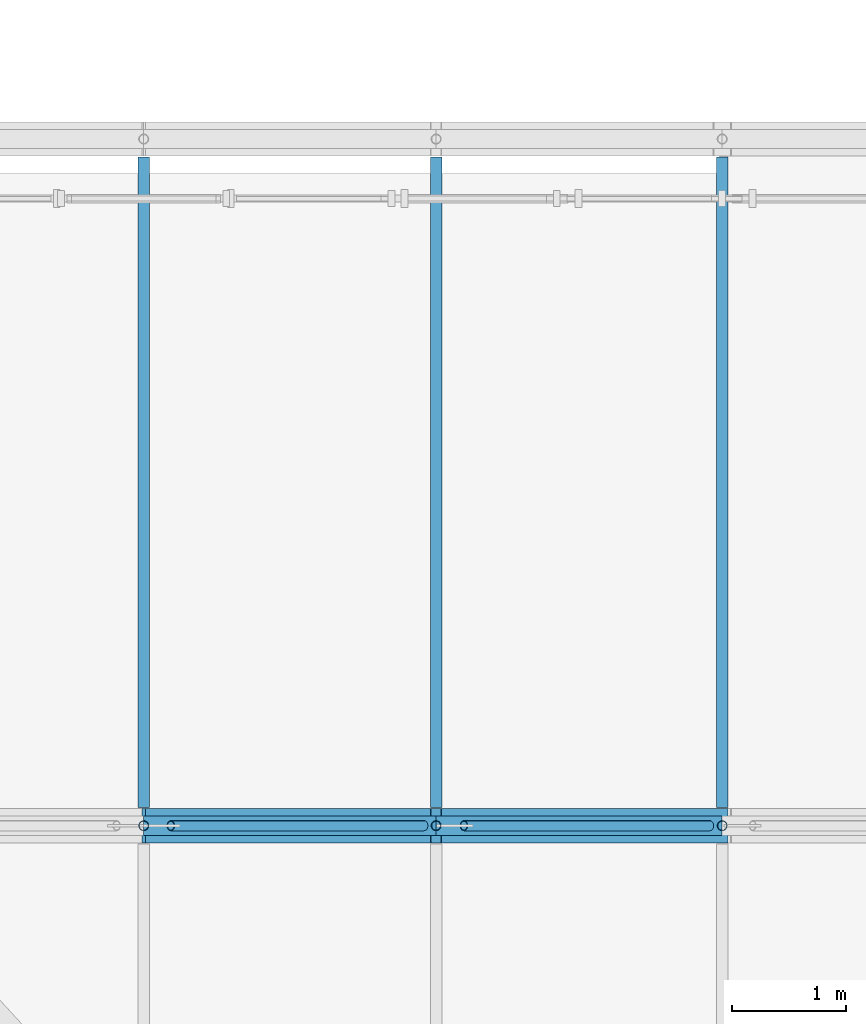
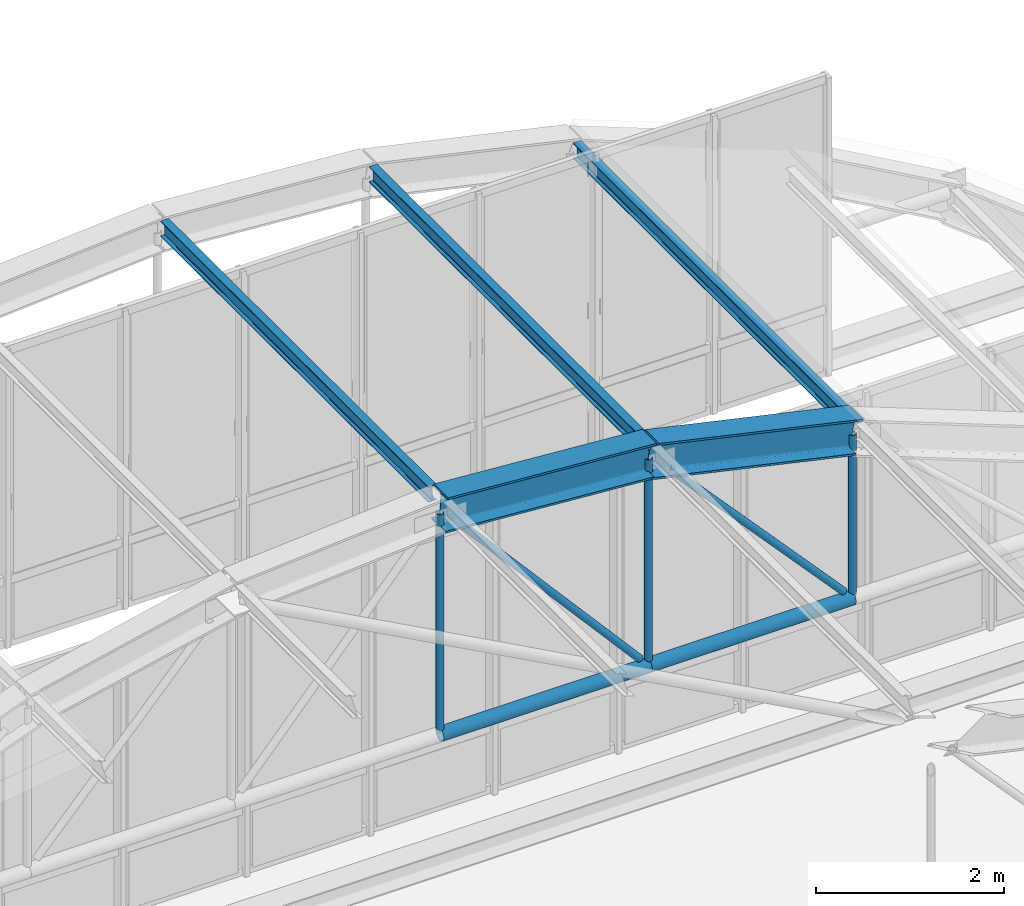
# One storey, part 78 of 148: 7 members, 5 beams.
"""IFC4 building model written with IfcOpenShell, lengths in metres."""

from ifc_helpers import new_model, si_unit, direction, frame, origin, origin_2d, place, context, subcontext, project, spatial, hollow_circle, i_section, extrude, material, material_profile, profile_set, type_object, element, save


model = new_model("IFC4")

# Units and contexts
model_context = context("Model", 3, precision=1e-05, world=origin(), true_north=direction((0.0, 1.0)))
body_context = subcontext(model_context, "Body", "Model", "MODEL_VIEW")
ifc_project = project(units=[si_unit("LENGTHUNIT", "METRE"), si_unit("AREAUNIT", "SQUARE_METRE"), si_unit("VOLUMEUNIT", "CUBIC_METRE"), si_unit("PLANEANGLEUNIT", "RADIAN"), si_unit("MASSUNIT", "GRAM", prefix="KILO"), si_unit("THERMODYNAMICTEMPERATUREUNIT", "KELVIN"), si_unit("POWERUNIT", "WATT")], contexts=[model_context])

# Site, building, storey
site_placement = place(None, origin())
site = spatial("IfcSite", under=ifc_project, at=site_placement, CompositionType="ELEMENT")
building_placement = place(site_placement, origin())
building = spatial("IfcBuilding", under=site, at=building_placement, Name="Solvatero Civic Police Headquarters", CompositionType="ELEMENT")
storey_placement = place(building_placement, frame((0.0, 0.0, 5.10009765625)))
storey = spatial("IfcBuildingStorey", under=building, at=storey_placement, Name="L01", CompositionType="ELEMENT", Elevation=5.10009765625)

# Beams
ifc_material = material(Name="Steel S355", Category="steel")
ifc_material_profile_1 = material_profile(ifc_material, i_section(OverallWidth=0.300048828125, OverallDepth=0.449951171875, WebThickness=0.013916015625, FlangeThickness=0.02587890625, FilletRadius=0.027099609375, at=origin_2d()), Name="HEB 450")
ifc_profile_set_1 = profile_set([ifc_material_profile_1], Name="Steel S355")
beam_type_1 = type_object("IfcBeamType", Name="BM-ST-HEB450", PredefinedType="BEAM", material=ifc_profile_set_1)
beam_1_placement = place(storey_placement, frame((110.5, 40.800048828125, 8.31396484375), z_axis=(0.997304549883, 0.0, -0.073373256584), x_axis=(0.0, 1.0, 0.0)))
element("IfcBeam", 1, at=beam_1_placement, inside=storey, type_object=beam_type_1, Name="VLT1 Tied-Arch Vault Top Chord F7.6", PredefinedType="BEAM", context=body_context, shape_type="SweptSolid", body=[
    extrude(i_section(OverallWidth=0.300048828125, OverallDepth=0.449951171875, WebThickness=0.013916015625, FlangeThickness=0.02587890625, FilletRadius=0.027099609375, at=origin_2d()), origin(), (0.0, 0.0, 1.0), 2.56201171875),
])
beam_2_placement = place(storey_placement, frame((113.05517578125, 40.800048828125, 8.1171875), z_axis=(0.975854055758, 0.0, -0.218423583574), x_axis=(0.0, 1.0, 0.0)))
element("IfcBeam", 2, at=beam_2_placement, inside=storey, type_object=beam_type_1, Name="VLT1 Tied-Arch Vault Top Chord F7.7", PredefinedType="BEAM", context=body_context, shape_type="SweptSolid", body=[
    extrude(i_section(OverallWidth=0.300048828125, OverallDepth=0.449951171875, WebThickness=0.013916015625, FlangeThickness=0.02587890625, FilletRadius=0.027099609375, at=origin_2d()), origin(), (0.0, 0.0, 1.0), 2.561767578125),
])
ifc_material_profile_2 = material_profile(ifc_material, i_section(OverallWidth=0.10009765625, OverallDepth=0.199951171875, WebThickness=0.005615234375, FlangeThickness=0.008544921875, FilletRadius=0.011962890625, at=origin_2d()), Name="IPE 200")
ifc_profile_set_2 = profile_set([ifc_material_profile_2], Name="Steel S355")
beam_type_2 = type_object("IfcBeamType", Name="BM-ST-IPE200", PredefinedType="JOIST", material=ifc_profile_set_2)
for number, where, z_axis, x_axis, name in (
    (3, (110.5, 40.9580078125, 8.41455078125), (0.0, 1.0, 0.0), (-1.0, 0.0, 0.0), "VLT1 Vault Roof Purlin B7.5"),
    (4, (113.05517578125, 40.9580078125, 8.222900390625), (0.0, 1.0, 0.0), (-1.0, 0.0, 0.0), "VLT1 Vault Roof Purlin B7.6"),
    (5, (115.55517578125, 40.9580078125, 7.65576171875), (0.0, 1.0, 0.0), (-1.0, 0.0, 0.0), "VLT1 Vault Roof Purlin B7.7"),
):
    element("IfcBeam", number, at=place(storey_placement, frame(where, z_axis=z_axis, x_axis=x_axis)), inside=storey, type_object=beam_type_2, Name=name, PredefinedType="JOIST", context=body_context, shape_type="SweptSolid", body=[
        extrude(i_section(OverallWidth=0.10009765625, OverallDepth=0.199951171875, WebThickness=0.005615234375, FlangeThickness=0.008544921875, FilletRadius=0.011962890625, at=origin_2d()), origin(), (0.0, 0.0, 1.0), 5.68408203125),
    ])

# Members
ifc_material_profile_3 = material_profile(ifc_material, hollow_circle(Radius=0.04443359375, WallThickness=0.00634765625, at=origin_2d()), Name="CHS 88.9x6.3")
ifc_profile_set_3 = profile_set([ifc_material_profile_3], Name="Steel S355")
member_type_1 = type_object("IfcMemberType", Name="MB-HNG-CHS89", PredefinedType="STRUT", material=ifc_profile_set_3)
member_1_placement = place(storey_placement, frame((112.949951171875, 40.800048828125, 5.51220703125), z_axis=(-0.657605371239, 0.0, 0.753362579186), x_axis=(0.0, -1.0, 0.0)))
element("IfcMember", 6, at=member_1_placement, inside=storey, type_object=member_type_1, Name="VLT1 Vault Truss Diagonal Web F7.5", PredefinedType="STRUT", context=body_context, shape_type="SweptSolid", body=[
    extrude(hollow_circle(Radius=0.04443359375, WallThickness=0.00634765625, at=origin_2d()), origin(), (0.0, 0.0, 1.0), 3.365478515625),
])
member_2_placement = place(storey_placement, frame((115.447265625, 40.800048828125, 5.509765625), z_axis=(-0.674096872288, 0.0, 0.73864294945), x_axis=(0.0, -1.0, 0.0)))
element("IfcMember", 7, at=member_2_placement, inside=storey, type_object=member_type_1, Name="VLT1 Vault Truss Diagonal Web F7.6", PredefinedType="STRUT", context=body_context, shape_type="SweptSolid", body=[
    extrude(hollow_circle(Radius=0.04443359375, WallThickness=0.00634765625, at=origin_2d()), origin(), (0.0, 0.0, 1.0), 3.1884765625),
])
member_3_placement = place(storey_placement, frame((110.5, 40.800048828125, 5.431640625), z_axis=(0.0, 0.0, 1.0), x_axis=(1.0, 0.0, 0.0)))
element("IfcMember", 8, at=member_3_placement, inside=storey, type_object=member_type_1, Name="VLT1 Vault Vertical Hanger F7.5", PredefinedType="STRUT", context=body_context, shape_type="SweptSolid", body=[
    extrude(hollow_circle(Radius=0.04443359375, WallThickness=0.00634765625, at=origin_2d()), origin(), (0.0, 0.0, 1.0), 2.837158203125),
])
member_4_placement = place(storey_placement, frame((113.05517578125, 40.800048828125, 5.431640625), z_axis=(0.0, 0.0, 1.0), x_axis=(1.0, 0.0, 0.0)))
element("IfcMember", 9, at=member_4_placement, inside=storey, type_object=member_type_1, Name="VLT1 Vault Vertical Hanger F7.6", PredefinedType="STRUT", context=body_context, shape_type="SweptSolid", body=[
    extrude(hollow_circle(Radius=0.04443359375, WallThickness=0.00634765625, at=origin_2d()), origin(), (0.0, 0.0, 1.0), 2.649169921875),
])
member_5_placement = place(storey_placement, frame((115.55517578125, 40.800048828125, 5.431640625), z_axis=(0.0, 0.0, 1.0), x_axis=(1.0, 0.0, 0.0)))
element("IfcMember", 10, at=member_5_placement, inside=storey, type_object=member_type_1, Name="VLT1 Vault Vertical Hanger F7.7", PredefinedType="STRUT", context=body_context, shape_type="SweptSolid", body=[
    extrude(hollow_circle(Radius=0.04443359375, WallThickness=0.00634765625, at=origin_2d()), origin(), (0.0, 0.0, 1.0), 2.08935546875),
])
ifc_material_profile_4 = material_profile(ifc_material, hollow_circle(Radius=0.084228515625, WallThickness=0.010009765625, at=origin_2d()), Name="CHS 168.3x10.0")
ifc_profile_set_4 = profile_set([ifc_material_profile_4], Name="Steel S355")
member_type_2 = type_object("IfcMemberType", Name="MB-TIE-CHS168", PredefinedType="CHORD", material=ifc_profile_set_4)
member_6_placement = place(storey_placement, frame((110.5, 40.800048828125, 5.3916015625), z_axis=(1.0, 0.0, 0.0), x_axis=(0.0, 1.0, 0.0)))
element("IfcMember", 11, at=member_6_placement, inside=storey, type_object=member_type_2, Name="VLT1 Vault Horizontal Tie Chord F7.5", PredefinedType="CHORD", context=body_context, shape_type="SweptSolid", body=[
    extrude(hollow_circle(Radius=0.084228515625, WallThickness=0.010009765625, at=origin_2d()), origin(), (0.0, 0.0, 1.0), 2.55517578125),
])
member_7_placement = place(storey_placement, frame((113.05517578125, 40.800048828125, 5.3916015625), z_axis=(1.0, 0.0, 0.0), x_axis=(0.0, 1.0, 0.0)))
element("IfcMember", 12, at=member_7_placement, inside=storey, type_object=member_type_2, Name="VLT1 Vault Horizontal Tie Chord F7.6", PredefinedType="CHORD", context=body_context, shape_type="SweptSolid", body=[
    extrude(hollow_circle(Radius=0.084228515625, WallThickness=0.010009765625, at=origin_2d()), origin(), (0.0, 0.0, 1.0), 2.5),
])

save(model, "model.ifc")
